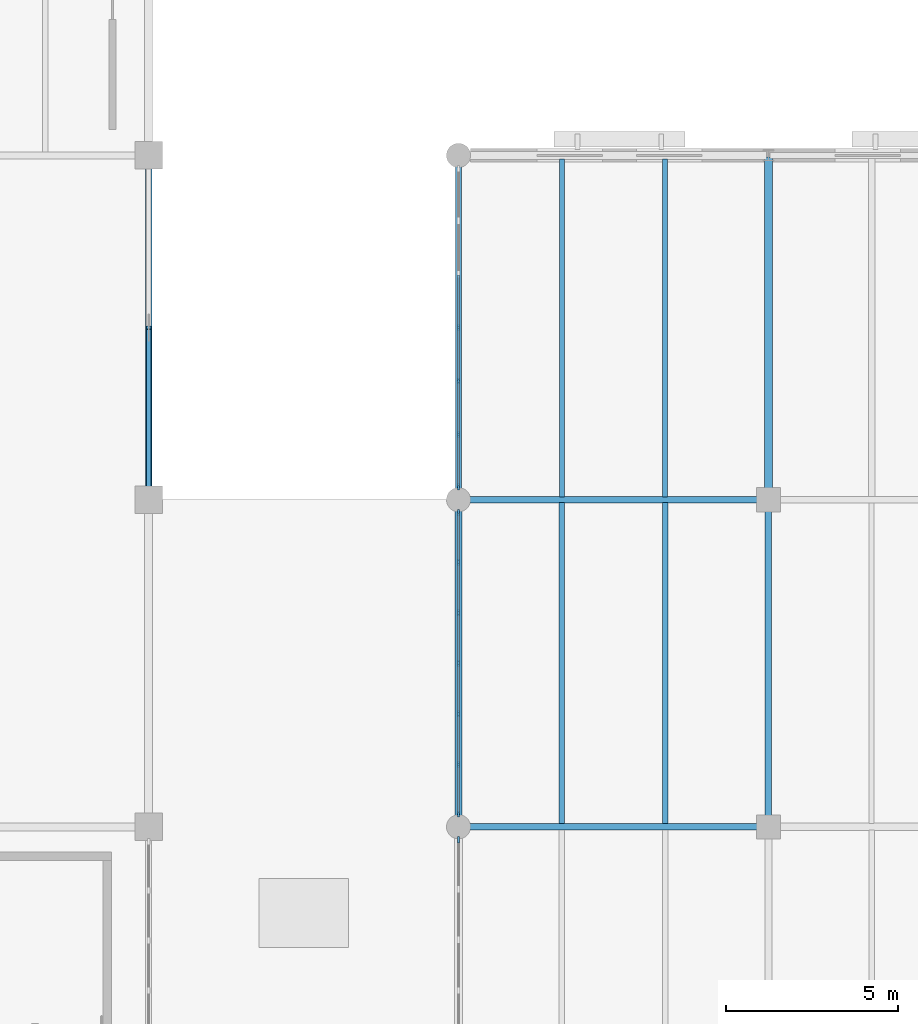
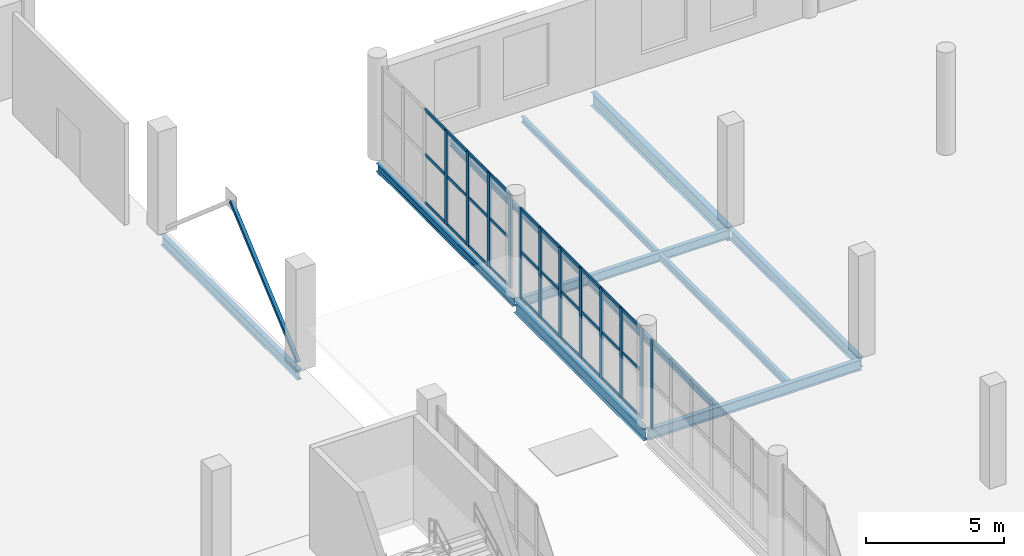
# One storey, part 47 of 93: 43 members, 11 beams, 3 elements without a shape of their own.
"""IFC4 building model written with IfcOpenShell, lengths in metres."""

from ifc_helpers import new_model, si_unit, direction, frame, origin, origin_2d, place, context, subcontext, project, spatial, rectangle, hollow_rectangle, i_section, extrude, material, layer, layer_set, material_profile, profile_set, type_object, element, aggregate, save


model = new_model("IFC4")

# Units and contexts
model_context = context("Model", 3, precision=1e-05, world=origin(), true_north=direction((0.0, 1.0)))
body_context = subcontext(model_context, "Body", "Model", "MODEL_VIEW")
ifc_project = project(units=[si_unit("LENGTHUNIT", "METRE"), si_unit("AREAUNIT", "SQUARE_METRE"), si_unit("VOLUMEUNIT", "CUBIC_METRE"), si_unit("PLANEANGLEUNIT", "RADIAN"), si_unit("MASSUNIT", "GRAM", prefix="KILO")], contexts=[model_context])

# Site, building, storey
site_placement = place(None, origin())
site = spatial("IfcSite", under=ifc_project, at=site_placement, CompositionType="ELEMENT")
building_placement = place(site_placement, origin())
building = spatial("IfcBuilding", under=site, at=building_placement, Name="Marnock Terrace Opera House", CompositionType="ELEMENT")
storey_placement = place(building_placement, frame((0.0, 0.0, 5.39990234375)))
storey = spatial("IfcBuildingStorey", under=building, at=storey_placement, Name="L01", CompositionType="ELEMENT", Elevation=5.39990234375)

# Beams
ifc_material_1 = material(Name="Steel Grade 350 (AS/NZS 3679.1)", Category="steel")
ifc_material_profile_1 = material_profile(ifc_material_1, i_section(OverallWidth=0.1708984375, OverallDepth=0.355712890625, WebThickness=0.00732421875, FlangeThickness=0.011474609375, FilletRadius=0.011474609375, at=origin_2d()))
ifc_profile_set_1 = profile_set([ifc_material_profile_1], Name="Steel Grade 350 (AS/NZS 3679.1)")
beam_type_1 = type_object("IfcBeamType", Name="BM-GIRD-360", PredefinedType="BEAM", material=ifc_profile_set_1)
beam_1_placement = place(storey_placement, frame((118.0, 94.050048828125, -0.457763671875), z_axis=(0.0, 1.0, 0.0), x_axis=(-1.0, 0.0, 0.0)))
element("IfcBeam", 1, at=beam_1_placement, inside=storey, type_object=beam_type_1, Name="L01 girder (X=118.0, 94.0..104.0)", PredefinedType="BEAM", context=body_context, shape_type="SweptSolid", body=[
    extrude(i_section(OverallWidth=0.1708984375, OverallDepth=0.355712890625, WebThickness=0.00732421875, FlangeThickness=0.011474609375, FilletRadius=0.011474609375, at=origin_2d()), origin(), (0.0, 0.0, 1.0), 9.89990234375),
])
ifc_material_profile_2 = material_profile(ifc_material_1, i_section(OverallWidth=0.177978515625, OverallDepth=0.402587890625, WebThickness=0.007568359375, FlangeThickness=0.010986328125, FilletRadius=0.011474609375, at=origin_2d()))
ifc_profile_set_2 = profile_set([ifc_material_profile_2], Name="Steel Grade 350 (AS/NZS 3679.1)")
beam_type_2 = type_object("IfcBeamType", Name="BM-GIRD-410", PredefinedType="BEAM", material=ifc_profile_set_2)
beam_2_placement = place(storey_placement, frame((118.050048828125, 94.0, -0.481201171875), z_axis=(1.0, 0.0, 0.0), x_axis=(0.0, 1.0, 0.0)))
element("IfcBeam", 2, at=beam_2_placement, inside=storey, type_object=beam_type_2, Name="L01 girder (118.0..127.0, Y=94.0)", PredefinedType="BEAM", context=body_context, shape_type="SweptSolid", body=[
    extrude(i_section(OverallWidth=0.177978515625, OverallDepth=0.402587890625, WebThickness=0.007568359375, FlangeThickness=0.010986328125, FilletRadius=0.011474609375, at=origin_2d()), origin(), (0.0, 0.0, 1.0), 8.89990234375),
])
ifc_material_profile_3 = material_profile(ifc_material_1, i_section(OverallWidth=0.19091796875, OverallDepth=0.46044921875, WebThickness=0.010009765625, FlangeThickness=0.01611328125, FilletRadius=0.011474609375, at=origin_2d()))
ifc_profile_set_3 = profile_set([ifc_material_profile_3], Name="Steel Grade 350 (AS/NZS 3679.1)")
beam_type_3 = type_object("IfcBeamType", Name="BM-GIRD-460A", PredefinedType="BEAM", material=ifc_profile_set_3)
beam_3_placement = place(storey_placement, frame((118.050048828125, 84.5, -0.510009765625), z_axis=(1.0, 0.0, 0.0), x_axis=(0.0, 1.0, 0.0)))
element("IfcBeam", 3, at=beam_3_placement, inside=storey, type_object=beam_type_3, Name="L01 girder (118.0..127.0, Y=84.5)", PredefinedType="BEAM", context=body_context, shape_type="SweptSolid", body=[
    extrude(i_section(OverallWidth=0.19091796875, OverallDepth=0.46044921875, WebThickness=0.010009765625, FlangeThickness=0.01611328125, FilletRadius=0.011474609375, at=origin_2d()), origin(), (0.0, 0.0, 1.0), 8.89990234375),
])
ifc_material_profile_4 = material_profile(ifc_material_1, i_section(OverallWidth=0.18994140625, OverallDepth=0.45751953125, WebThickness=0.009033203125, FlangeThickness=0.014404296875, FilletRadius=0.011474609375, at=origin_2d()))
ifc_profile_set_4 = profile_set([ifc_material_profile_4], Name="Steel Grade 350 (AS/NZS 3679.1)")
beam_type_4 = type_object("IfcBeamType", Name="BM-GIRD-460B", PredefinedType="BEAM", material=ifc_profile_set_4)
beam_4_placement = place(storey_placement, frame((109.0, 94.050048828125, -0.508544921875), z_axis=(0.0, 1.0, 0.0), x_axis=(-1.0, 0.0, 0.0)))
element("IfcBeam", 4, at=beam_4_placement, inside=storey, type_object=beam_type_4, Name="L01 girder (X=109.0, 94.0..104.0)", PredefinedType="BEAM", context=body_context, shape_type="SweptSolid", body=[
    extrude(i_section(OverallWidth=0.18994140625, OverallDepth=0.45751953125, WebThickness=0.009033203125, FlangeThickness=0.014404296875, FilletRadius=0.011474609375, at=origin_2d()), origin(), (0.0, 0.0, 1.0), 9.89990234375),
])
beam_5_placement = place(storey_placement, frame((127.0, 84.550048828125, -0.508544921875), z_axis=(0.0, 1.0, 0.0), x_axis=(-1.0, 0.0, 0.0)))
element("IfcBeam", 5, at=beam_5_placement, inside=storey, type_object=beam_type_4, Name="L01 girder (X=127.0, 84.5..94.0)", PredefinedType="BEAM", context=body_context, shape_type="SweptSolid", body=[
    extrude(i_section(OverallWidth=0.18994140625, OverallDepth=0.45751953125, WebThickness=0.009033203125, FlangeThickness=0.014404296875, FilletRadius=0.011474609375, at=origin_2d()), origin(), (0.0, 0.0, 1.0), 9.39990234375),
])
ifc_material_profile_5 = material_profile(ifc_material_1, i_section(OverallWidth=0.208984375, OverallDepth=0.528076171875, WebThickness=0.009521484375, FlangeThickness=0.01318359375, FilletRadius=0.013916015625, at=origin_2d()))
ifc_profile_set_5 = profile_set([ifc_material_profile_5], Name="Steel Grade 350 (AS/NZS 3679.1)")
beam_type_5 = type_object("IfcBeamType", Name="BM-GIRD-530B", PredefinedType="BEAM", material=ifc_profile_set_5)
beam_6_placement = place(storey_placement, frame((118.0, 84.550048828125, -0.5439453125), z_axis=(0.0, 1.0, 0.0), x_axis=(-1.0, 0.0, 0.0)))
element("IfcBeam", 6, at=beam_6_placement, inside=storey, type_object=beam_type_5, Name="L01 girder (X=118.0, 84.5..94.0)", PredefinedType="BEAM", context=body_context, shape_type="SweptSolid", body=[
    extrude(i_section(OverallWidth=0.208984375, OverallDepth=0.528076171875, WebThickness=0.009521484375, FlangeThickness=0.01318359375, FilletRadius=0.013916015625, at=origin_2d()), origin(), (0.0, 0.0, 1.0), 9.39990234375),
])
ifc_material_profile_6 = material_profile(ifc_material_1, i_section(OverallWidth=0.22802734375, OverallDepth=0.60205078125, WebThickness=0.010498046875, FlangeThickness=0.014892578125, FilletRadius=0.013916015625, at=origin_2d()))
ifc_profile_set_6 = profile_set([ifc_material_profile_6], Name="Steel Grade 350 (AS/NZS 3679.1)")
beam_type_6 = type_object("IfcBeamType", Name="BM-GIRD-610C", PredefinedType="BEAM", material=ifc_profile_set_6)
beam_7_placement = place(storey_placement, frame((127.0, 94.050048828125, -0.580810546875), z_axis=(0.0, 1.0, 0.0), x_axis=(-1.0, 0.0, 0.0)))
element("IfcBeam", 7, at=beam_7_placement, inside=storey, type_object=beam_type_6, Name="L01 girder (X=127.0, 94.0..104.0)", PredefinedType="BEAM", context=body_context, shape_type="SweptSolid", body=[
    extrude(i_section(OverallWidth=0.22802734375, OverallDepth=0.60205078125, WebThickness=0.010498046875, FlangeThickness=0.014892578125, FilletRadius=0.013916015625, at=origin_2d()), origin(), (0.0, 0.0, 1.0), 9.89990234375),
])
ifc_material_profile_7 = material_profile(ifc_material_1, i_section(OverallWidth=0.14599609375, OverallDepth=0.256103515625, WebThickness=0.00634765625, FlangeThickness=0.010986328125, FilletRadius=0.0087890625, at=origin_2d()))
ifc_profile_set_7 = profile_set([ifc_material_profile_7], Name="Steel Grade 350 (AS/NZS 3679.1)")
beam_type_7 = type_object("IfcBeamType", Name="BM-JOIST-250", PredefinedType="JOIST", material=ifc_profile_set_7)
for number, where, z_axis, x_axis, name in (
    (8, (121.0, 94.083984375, -0.407958984375), (0.0, 1.0, 0.0), (-1.0, 0.0, 0.0), "L01 secondary joist 13.11.1"),
    (9, (124.0, 94.083984375, -0.407958984375), (0.0, 1.0, 0.0), (-1.0, 0.0, 0.0), "L01 secondary joist 13.11.2"),
):
    element("IfcBeam", number, at=place(storey_placement, frame(where, z_axis=z_axis, x_axis=x_axis)), inside=storey, type_object=beam_type_7, Name=name, PredefinedType="JOIST", context=body_context, shape_type="SweptSolid", body=[
        extrude(i_section(OverallWidth=0.14599609375, OverallDepth=0.256103515625, WebThickness=0.00634765625, FlangeThickness=0.010986328125, FilletRadius=0.0087890625, at=origin_2d()), origin(), (0.0, 0.0, 1.0), 9.806396484375),
    ])
ifc_material_profile_8 = material_profile(ifc_material_1, i_section(OverallWidth=0.1650390625, OverallDepth=0.3037109375, WebThickness=0.006103515625, FlangeThickness=0.01025390625, FilletRadius=0.011474609375, at=origin_2d()))
ifc_profile_set_8 = profile_set([ifc_material_profile_8], Name="Steel Grade 350 (AS/NZS 3679.1)")
beam_type_8 = type_object("IfcBeamType", Name="BM-JOIST-310B", PredefinedType="JOIST", material=ifc_profile_set_8)
for number, where, z_axis, x_axis, name in (
    (10, (121.0, 84.590576171875, -0.431884765625), (0.0, 1.0, 0.0), (-1.0, 0.0, 0.0), "L01 secondary joist 13.10.1"),
    (11, (124.0, 84.590576171875, -0.431884765625), (0.0, 1.0, 0.0), (-1.0, 0.0, 0.0), "L01 secondary joist 13.10.2"),
):
    element("IfcBeam", number, at=place(storey_placement, frame(where, z_axis=z_axis, x_axis=x_axis)), inside=storey, type_object=beam_type_8, Name=name, PredefinedType="JOIST", context=body_context, shape_type="SweptSolid", body=[
        extrude(i_section(OverallWidth=0.1650390625, OverallDepth=0.3037109375, WebThickness=0.006103515625, FlangeThickness=0.01025390625, FilletRadius=0.011474609375, at=origin_2d()), origin(), (0.0, 0.0, 1.0), 9.325439453125),
    ])

# Curtain wall, member
ifc_material_2 = material(Name="Anodised architectural bronze aluminium framing", Category="aluminium")
ifc_layer = layer(ifc_material_2, 0.159912109375)
ifc_layer_set = layer_set([ifc_layer], Name="Anodised architectural bronze aluminium framing")
curtain_wall_type = type_object("IfcCurtainWallType", Name="CW-FOYER-95x45", PredefinedType="NOTDEFINED", material=ifc_layer_set)
curtain_wall_1_placement = place(storey_placement, origin())
curtain_wall_1 = element("IfcCurtainWall", 12, at=curtain_wall_1_placement, inside=storey, type_object=curtain_wall_type, Name="L01 glazed Beaux-Arts colonnade curtain wall CW-V5-L01-W6", PredefinedType="NOTDEFINED")
ifc_material_profile_9 = material_profile(ifc_material_2, rectangle(XDim=0.06494140625, YDim=0.179931640625, at=origin_2d()))
ifc_profile_set_9 = profile_set([ifc_material_profile_9], Name="Anodised architectural bronze aluminium framing")
member_type_1 = type_object("IfcMemberType", Name="CWM-65x180", PredefinedType="MULLION", material=ifc_profile_set_9)
member_1_placement = place(storey_placement, frame((118.0, 84.1240234375, 0.0), z_axis=(0.0, 0.0, 1.0), x_axis=(-1.0, 0.0, 0.0)))
member_1 = element("IfcMember", 13, at=member_1_placement, type_object=member_type_1, Name="CW-53 mullion 7", PredefinedType="MULLION", context=body_context, shape_type="SweptSolid", body=[
    extrude(rectangle(XDim=0.06494140625, YDim=0.179931640625, at=origin_2d()), origin(), (0.0, 0.0, 1.0), 3.908203125),
])
aggregate(curtain_wall_1, [member_1])

# Curtain wall, members
curtain_wall_2_placement = place(storey_placement, origin())
curtain_wall_2 = element("IfcCurtainWall", 14, at=curtain_wall_2_placement, inside=storey, type_object=curtain_wall_type, Name="L01 glazed Beaux-Arts colonnade curtain wall CW-V5-L01-W7", PredefinedType="NOTDEFINED")
member_2_placement = place(storey_placement, frame((118.0, 84.8759765625, 0.0), z_axis=(0.0, 0.0, 1.0), x_axis=(-1.0, 0.0, 0.0)))
member_2 = element("IfcMember", 15, at=member_2_placement, type_object=member_type_1, Name="CW-53 mullion 1", PredefinedType="MULLION", context=body_context, shape_type="SweptSolid", body=[
    extrude(rectangle(XDim=0.06494140625, YDim=0.179931640625, at=origin_2d()), origin(), (0.0, 0.0, 1.0), 3.982177734375),
])
member_3_placement = place(storey_placement, frame((118.0, 86.31396484375, 0.0), z_axis=(0.0, 0.0, 1.0), x_axis=(-1.0, 0.0, 0.0)))
member_3 = element("IfcMember", 16, at=member_3_placement, type_object=member_type_1, Name="CW-53 mullion 2", PredefinedType="MULLION", context=body_context, shape_type="SweptSolid", body=[
    extrude(rectangle(XDim=0.06494140625, YDim=0.179931640625, at=origin_2d()), origin(), (0.0, 0.0, 1.0), 3.982177734375),
])
member_4_placement = place(storey_placement, frame((118.0, 87.781982421875, 0.0), z_axis=(0.0, 0.0, 1.0), x_axis=(-1.0, 0.0, 0.0)))
member_4 = element("IfcMember", 17, at=member_4_placement, type_object=member_type_1, Name="CW-53 mullion 3", PredefinedType="MULLION", context=body_context, shape_type="SweptSolid", body=[
    extrude(rectangle(XDim=0.06494140625, YDim=0.179931640625, at=origin_2d()), origin(), (0.0, 0.0, 1.0), 3.982177734375),
])
member_5_placement = place(storey_placement, frame((118.0, 89.25, 0.0), z_axis=(0.0, 0.0, 1.0), x_axis=(-1.0, 0.0, 0.0)))
member_5 = element("IfcMember", 18, at=member_5_placement, type_object=member_type_1, Name="CW-53 mullion 4", PredefinedType="MULLION", context=body_context, shape_type="SweptSolid", body=[
    extrude(rectangle(XDim=0.06494140625, YDim=0.179931640625, at=origin_2d()), origin(), (0.0, 0.0, 1.0), 3.982177734375),
])
member_6_placement = place(storey_placement, frame((118.0, 90.718017578125, 0.0), z_axis=(0.0, 0.0, 1.0), x_axis=(-1.0, 0.0, 0.0)))
member_6 = element("IfcMember", 19, at=member_6_placement, type_object=member_type_1, Name="CW-53 mullion 5", PredefinedType="MULLION", context=body_context, shape_type="SweptSolid", body=[
    extrude(rectangle(XDim=0.06494140625, YDim=0.179931640625, at=origin_2d()), origin(), (0.0, 0.0, 1.0), 3.982177734375),
])
member_7_placement = place(storey_placement, frame((118.0, 92.18603515625, 0.0), z_axis=(0.0, 0.0, 1.0), x_axis=(-1.0, 0.0, 0.0)))
member_7 = element("IfcMember", 20, at=member_7_placement, type_object=member_type_1, Name="CW-53 mullion 6", PredefinedType="MULLION", context=body_context, shape_type="SweptSolid", body=[
    extrude(rectangle(XDim=0.06494140625, YDim=0.179931640625, at=origin_2d()), origin(), (0.0, 0.0, 1.0), 3.982177734375),
])
member_8_placement = place(storey_placement, frame((118.0, 93.6240234375, 0.0), z_axis=(0.0, 0.0, 1.0), x_axis=(-1.0, 0.0, 0.0)))
member_8 = element("IfcMember", 21, at=member_8_placement, type_object=member_type_1, Name="CW-53 mullion 7", PredefinedType="MULLION", context=body_context, shape_type="SweptSolid", body=[
    extrude(rectangle(XDim=0.06494140625, YDim=0.179931640625, at=origin_2d()), origin(), (0.0, 0.0, 1.0), 3.982177734375),
])

curtain_wall_3_placement = place(storey_placement, origin())
curtain_wall_3 = element("IfcCurtainWall", 22, at=curtain_wall_3_placement, inside=storey, type_object=curtain_wall_type, Name="L01 glazed Beaux-Arts colonnade curtain wall CW-V5-L01-W8", PredefinedType="NOTDEFINED")
member_9_placement = place(storey_placement, frame((118.0, 94.3759765625, 0.0), z_axis=(0.0, 0.0, 1.0), x_axis=(-1.0, 0.0, 0.0)))
member_9 = element("IfcMember", 23, at=member_9_placement, type_object=member_type_1, Name="CW-53 mullion 1", PredefinedType="MULLION", context=body_context, shape_type="SweptSolid", body=[
    extrude(rectangle(XDim=0.06494140625, YDim=0.179931640625, at=origin_2d()), origin(), (0.0, 0.0, 1.0), 4.154541015625),
])
member_10_placement = place(storey_placement, frame((118.0, 95.897216796875, 0.0), z_axis=(0.0, 0.0, 1.0), x_axis=(-1.0, 0.0, 0.0)))
member_10 = element("IfcMember", 24, at=member_10_placement, type_object=member_type_1, Name="CW-53 mullion 2", PredefinedType="MULLION", context=body_context, shape_type="SweptSolid", body=[
    extrude(rectangle(XDim=0.06494140625, YDim=0.179931640625, at=origin_2d()), origin(), (0.0, 0.0, 1.0), 4.154541015625),
])
member_11_placement = place(storey_placement, frame((118.0, 97.44873046875, 0.0), z_axis=(0.0, 0.0, 1.0), x_axis=(-1.0, 0.0, 0.0)))
member_11 = element("IfcMember", 25, at=member_11_placement, type_object=member_type_1, Name="CW-53 mullion 3", PredefinedType="MULLION", context=body_context, shape_type="SweptSolid", body=[
    extrude(rectangle(XDim=0.06494140625, YDim=0.179931640625, at=origin_2d()), origin(), (0.0, 0.0, 1.0), 4.154541015625),
])
member_12_placement = place(storey_placement, frame((118.0, 99.0, 0.0), z_axis=(0.0, 0.0, 1.0), x_axis=(-1.0, 0.0, 0.0)))
member_12 = element("IfcMember", 26, at=member_12_placement, type_object=member_type_1, Name="CW-53 mullion 4", PredefinedType="MULLION", context=body_context, shape_type="SweptSolid", body=[
    extrude(rectangle(XDim=0.06494140625, YDim=0.179931640625, at=origin_2d()), origin(), (0.0, 0.0, 1.0), 4.154541015625),
])

# Member
ifc_material_profile_10 = material_profile(ifc_material_2, rectangle(XDim=0.06005859375, YDim=0.1298828125, at=origin_2d()))
ifc_profile_set_10 = profile_set([ifc_material_profile_10], Name="Anodised architectural bronze aluminium framing")
member_type_2 = type_object("IfcMemberType", Name="CWT-60x130", PredefinedType="USERDEFINED", material=ifc_profile_set_10)
member_13_placement = place(storey_placement, frame((118.0, 84.906005859375, 0.030029296875), z_axis=(0.0, 1.0, 0.0), x_axis=(-1.0, 0.0, 0.0)))
member_13 = element("IfcMember", 27, at=member_13_placement, type_object=member_type_2, Name="CW-53 transom 1.1", ObjectType="TRANSOM", PredefinedType="USERDEFINED", context=body_context, shape_type="SweptSolid", body=[
    extrude(rectangle(XDim=0.06005859375, YDim=0.1298828125, at=origin_2d()), origin(), (0.0, 0.0, 1.0), 1.3779296875),
])

member_14_placement = place(storey_placement, frame((118.0, 84.906005859375, 2.07080078125), z_axis=(0.0, 1.0, 0.0), x_axis=(-1.0, 0.0, 0.0)))
member_14 = element("IfcMember", 28, at=member_14_placement, type_object=member_type_2, Name="CW-53 transom 1.2", ObjectType="TRANSOM", PredefinedType="USERDEFINED", context=body_context, shape_type="SweptSolid", body=[
    extrude(rectangle(XDim=0.06005859375, YDim=0.1298828125, at=origin_2d()), origin(), (0.0, 0.0, 1.0), 1.3779296875),
])

member_15_placement = place(storey_placement, frame((118.0, 84.906005859375, 3.9521484375), z_axis=(0.0, 1.0, 0.0), x_axis=(-1.0, 0.0, 0.0)))
member_15 = element("IfcMember", 29, at=member_15_placement, type_object=member_type_2, Name="CW-53 transom 1.3", ObjectType="TRANSOM", PredefinedType="USERDEFINED", context=body_context, shape_type="SweptSolid", body=[
    extrude(rectangle(XDim=0.06005859375, YDim=0.1298828125, at=origin_2d()), origin(), (0.0, 0.0, 1.0), 1.3779296875),
])

member_16_placement = place(storey_placement, frame((118.0, 86.343994140625, 0.030029296875), z_axis=(0.0, 1.0, 0.0), x_axis=(-1.0, 0.0, 0.0)))
member_16 = element("IfcMember", 30, at=member_16_placement, type_object=member_type_2, Name="CW-53 transom 2.1", ObjectType="TRANSOM", PredefinedType="USERDEFINED", context=body_context, shape_type="SweptSolid", body=[
    extrude(rectangle(XDim=0.06005859375, YDim=0.1298828125, at=origin_2d()), origin(), (0.0, 0.0, 1.0), 1.407958984375),
])

member_17_placement = place(storey_placement, frame((118.0, 86.343994140625, 2.07080078125), z_axis=(0.0, 1.0, 0.0), x_axis=(-1.0, 0.0, 0.0)))
member_17 = element("IfcMember", 31, at=member_17_placement, type_object=member_type_2, Name="CW-53 transom 2.2", ObjectType="TRANSOM", PredefinedType="USERDEFINED", context=body_context, shape_type="SweptSolid", body=[
    extrude(rectangle(XDim=0.06005859375, YDim=0.1298828125, at=origin_2d()), origin(), (0.0, 0.0, 1.0), 1.407958984375),
])

member_18_placement = place(storey_placement, frame((118.0, 86.343994140625, 3.9521484375), z_axis=(0.0, 1.0, 0.0), x_axis=(-1.0, 0.0, 0.0)))
member_18 = element("IfcMember", 32, at=member_18_placement, type_object=member_type_2, Name="CW-53 transom 2.3", ObjectType="TRANSOM", PredefinedType="USERDEFINED", context=body_context, shape_type="SweptSolid", body=[
    extrude(rectangle(XDim=0.06005859375, YDim=0.1298828125, at=origin_2d()), origin(), (0.0, 0.0, 1.0), 1.407958984375),
])

member_19_placement = place(storey_placement, frame((118.0, 87.81201171875, 0.030029296875), z_axis=(0.0, 1.0, 0.0), x_axis=(-1.0, 0.0, 0.0)))
member_19 = element("IfcMember", 33, at=member_19_placement, type_object=member_type_2, Name="CW-53 transom 3.1", ObjectType="TRANSOM", PredefinedType="USERDEFINED", context=body_context, shape_type="SweptSolid", body=[
    extrude(rectangle(XDim=0.06005859375, YDim=0.1298828125, at=origin_2d()), origin(), (0.0, 0.0, 1.0), 1.407958984375),
])

member_20_placement = place(storey_placement, frame((118.0, 87.81201171875, 2.07080078125), z_axis=(0.0, 1.0, 0.0), x_axis=(-1.0, 0.0, 0.0)))
member_20 = element("IfcMember", 34, at=member_20_placement, type_object=member_type_2, Name="CW-53 transom 3.2", ObjectType="TRANSOM", PredefinedType="USERDEFINED", context=body_context, shape_type="SweptSolid", body=[
    extrude(rectangle(XDim=0.06005859375, YDim=0.1298828125, at=origin_2d()), origin(), (0.0, 0.0, 1.0), 1.407958984375),
])

member_21_placement = place(storey_placement, frame((118.0, 87.81201171875, 3.9521484375), z_axis=(0.0, 1.0, 0.0), x_axis=(-1.0, 0.0, 0.0)))
member_21 = element("IfcMember", 35, at=member_21_placement, type_object=member_type_2, Name="CW-53 transom 3.3", ObjectType="TRANSOM", PredefinedType="USERDEFINED", context=body_context, shape_type="SweptSolid", body=[
    extrude(rectangle(XDim=0.06005859375, YDim=0.1298828125, at=origin_2d()), origin(), (0.0, 0.0, 1.0), 1.407958984375),
])

member_22_placement = place(storey_placement, frame((118.0, 89.280029296875, 0.030029296875), z_axis=(0.0, 1.0, 0.0), x_axis=(-1.0, 0.0, 0.0)))
member_22 = element("IfcMember", 36, at=member_22_placement, type_object=member_type_2, Name="CW-53 transom 4.1", ObjectType="TRANSOM", PredefinedType="USERDEFINED", context=body_context, shape_type="SweptSolid", body=[
    extrude(rectangle(XDim=0.06005859375, YDim=0.1298828125, at=origin_2d()), origin(), (0.0, 0.0, 1.0), 1.407958984375),
])

member_23_placement = place(storey_placement, frame((118.0, 89.280029296875, 2.07080078125), z_axis=(0.0, 1.0, 0.0), x_axis=(-1.0, 0.0, 0.0)))
member_23 = element("IfcMember", 37, at=member_23_placement, type_object=member_type_2, Name="CW-53 transom 4.2", ObjectType="TRANSOM", PredefinedType="USERDEFINED", context=body_context, shape_type="SweptSolid", body=[
    extrude(rectangle(XDim=0.06005859375, YDim=0.1298828125, at=origin_2d()), origin(), (0.0, 0.0, 1.0), 1.407958984375),
])

member_24_placement = place(storey_placement, frame((118.0, 89.280029296875, 3.9521484375), z_axis=(0.0, 1.0, 0.0), x_axis=(-1.0, 0.0, 0.0)))
member_24 = element("IfcMember", 38, at=member_24_placement, type_object=member_type_2, Name="CW-53 transom 4.3", ObjectType="TRANSOM", PredefinedType="USERDEFINED", context=body_context, shape_type="SweptSolid", body=[
    extrude(rectangle(XDim=0.06005859375, YDim=0.1298828125, at=origin_2d()), origin(), (0.0, 0.0, 1.0), 1.407958984375),
])

member_25_placement = place(storey_placement, frame((118.0, 90.748046875, 0.030029296875), z_axis=(0.0, 1.0, 0.0), x_axis=(-1.0, 0.0, 0.0)))
member_25 = element("IfcMember", 39, at=member_25_placement, type_object=member_type_2, Name="CW-53 transom 5.1", ObjectType="TRANSOM", PredefinedType="USERDEFINED", context=body_context, shape_type="SweptSolid", body=[
    extrude(rectangle(XDim=0.06005859375, YDim=0.1298828125, at=origin_2d()), origin(), (0.0, 0.0, 1.0), 1.407958984375),
])

member_26_placement = place(storey_placement, frame((118.0, 90.748046875, 2.07080078125), z_axis=(0.0, 1.0, 0.0), x_axis=(-1.0, 0.0, 0.0)))
member_26 = element("IfcMember", 40, at=member_26_placement, type_object=member_type_2, Name="CW-53 transom 5.2", ObjectType="TRANSOM", PredefinedType="USERDEFINED", context=body_context, shape_type="SweptSolid", body=[
    extrude(rectangle(XDim=0.06005859375, YDim=0.1298828125, at=origin_2d()), origin(), (0.0, 0.0, 1.0), 1.407958984375),
])

member_27_placement = place(storey_placement, frame((118.0, 90.748046875, 3.9521484375), z_axis=(0.0, 1.0, 0.0), x_axis=(-1.0, 0.0, 0.0)))
member_27 = element("IfcMember", 41, at=member_27_placement, type_object=member_type_2, Name="CW-53 transom 5.3", ObjectType="TRANSOM", PredefinedType="USERDEFINED", context=body_context, shape_type="SweptSolid", body=[
    extrude(rectangle(XDim=0.06005859375, YDim=0.1298828125, at=origin_2d()), origin(), (0.0, 0.0, 1.0), 1.407958984375),
])

member_28_placement = place(storey_placement, frame((118.0, 92.216064453125, 0.030029296875), z_axis=(0.0, 1.0, 0.0), x_axis=(-1.0, 0.0, 0.0)))
member_28 = element("IfcMember", 42, at=member_28_placement, type_object=member_type_2, Name="CW-53 transom 6.1", ObjectType="TRANSOM", PredefinedType="USERDEFINED", context=body_context, shape_type="SweptSolid", body=[
    extrude(rectangle(XDim=0.06005859375, YDim=0.1298828125, at=origin_2d()), origin(), (0.0, 0.0, 1.0), 1.3779296875),
])

member_29_placement = place(storey_placement, frame((118.0, 92.216064453125, 2.07080078125), z_axis=(0.0, 1.0, 0.0), x_axis=(-1.0, 0.0, 0.0)))
member_29 = element("IfcMember", 43, at=member_29_placement, type_object=member_type_2, Name="CW-53 transom 6.2", ObjectType="TRANSOM", PredefinedType="USERDEFINED", context=body_context, shape_type="SweptSolid", body=[
    extrude(rectangle(XDim=0.06005859375, YDim=0.1298828125, at=origin_2d()), origin(), (0.0, 0.0, 1.0), 1.3779296875),
])

member_30_placement = place(storey_placement, frame((118.0, 92.216064453125, 3.9521484375), z_axis=(0.0, 1.0, 0.0), x_axis=(-1.0, 0.0, 0.0)))
member_30 = element("IfcMember", 44, at=member_30_placement, type_object=member_type_2, Name="CW-53 transom 6.3", ObjectType="TRANSOM", PredefinedType="USERDEFINED", context=body_context, shape_type="SweptSolid", body=[
    extrude(rectangle(XDim=0.06005859375, YDim=0.1298828125, at=origin_2d()), origin(), (0.0, 0.0, 1.0), 1.3779296875),
])

aggregate(curtain_wall_2, [member_2, member_3, member_4, member_5, member_6, member_7, member_8, member_13, member_14, member_15, member_16, member_17, member_18, member_19, member_20, member_21, member_22, member_23, member_24, member_25, member_26, member_27, member_28, member_29, member_30])

member_31_placement = place(storey_placement, frame((118.0, 94.406005859375, 0.030029296875), z_axis=(0.0, 1.0, 0.0), x_axis=(-1.0, 0.0, 0.0)))
member_31 = element("IfcMember", 45, at=member_31_placement, type_object=member_type_2, Name="CW-53 transom 1.1", ObjectType="TRANSOM", PredefinedType="USERDEFINED", context=body_context, shape_type="SweptSolid", body=[
    extrude(rectangle(XDim=0.06005859375, YDim=0.1298828125, at=origin_2d()), origin(), (0.0, 0.0, 1.0), 1.46142578125),
])

member_32_placement = place(storey_placement, frame((118.0, 94.406005859375, 2.160400390625), z_axis=(0.0, 1.0, 0.0), x_axis=(-1.0, 0.0, 0.0)))
member_32 = element("IfcMember", 46, at=member_32_placement, type_object=member_type_2, Name="CW-53 transom 1.2", ObjectType="TRANSOM", PredefinedType="USERDEFINED", context=body_context, shape_type="SweptSolid", body=[
    extrude(rectangle(XDim=0.06005859375, YDim=0.1298828125, at=origin_2d()), origin(), (0.0, 0.0, 1.0), 1.46142578125),
])

member_33_placement = place(storey_placement, frame((118.0, 94.406005859375, 4.12451171875), z_axis=(0.0, 1.0, 0.0), x_axis=(-1.0, 0.0, 0.0)))
member_33 = element("IfcMember", 47, at=member_33_placement, type_object=member_type_2, Name="CW-53 transom 1.3", ObjectType="TRANSOM", PredefinedType="USERDEFINED", context=body_context, shape_type="SweptSolid", body=[
    extrude(rectangle(XDim=0.06005859375, YDim=0.1298828125, at=origin_2d()), origin(), (0.0, 0.0, 1.0), 1.46142578125),
])

member_34_placement = place(storey_placement, frame((118.0, 95.92724609375, 0.030029296875), z_axis=(0.0, 1.0, 0.0), x_axis=(-1.0, 0.0, 0.0)))
member_34 = element("IfcMember", 48, at=member_34_placement, type_object=member_type_2, Name="CW-53 transom 2.1", ObjectType="TRANSOM", PredefinedType="USERDEFINED", context=body_context, shape_type="SweptSolid", body=[
    extrude(rectangle(XDim=0.06005859375, YDim=0.1298828125, at=origin_2d()), origin(), (0.0, 0.0, 1.0), 1.491455078125),
])

member_35_placement = place(storey_placement, frame((118.0, 95.92724609375, 2.160400390625), z_axis=(0.0, 1.0, 0.0), x_axis=(-1.0, 0.0, 0.0)))
member_35 = element("IfcMember", 49, at=member_35_placement, type_object=member_type_2, Name="CW-53 transom 2.2", ObjectType="TRANSOM", PredefinedType="USERDEFINED", context=body_context, shape_type="SweptSolid", body=[
    extrude(rectangle(XDim=0.06005859375, YDim=0.1298828125, at=origin_2d()), origin(), (0.0, 0.0, 1.0), 1.491455078125),
])

member_36_placement = place(storey_placement, frame((118.0, 95.92724609375, 4.12451171875), z_axis=(0.0, 1.0, 0.0), x_axis=(-1.0, 0.0, 0.0)))
member_36 = element("IfcMember", 50, at=member_36_placement, type_object=member_type_2, Name="CW-53 transom 2.3", ObjectType="TRANSOM", PredefinedType="USERDEFINED", context=body_context, shape_type="SweptSolid", body=[
    extrude(rectangle(XDim=0.06005859375, YDim=0.1298828125, at=origin_2d()), origin(), (0.0, 0.0, 1.0), 1.491455078125),
])

member_37_placement = place(storey_placement, frame((118.0, 97.478759765625, 0.030029296875), z_axis=(0.0, 1.0, 0.0), x_axis=(-1.0, 0.0, 0.0)))
member_37 = element("IfcMember", 51, at=member_37_placement, type_object=member_type_2, Name="CW-53 transom 3.1", ObjectType="TRANSOM", PredefinedType="USERDEFINED", context=body_context, shape_type="SweptSolid", body=[
    extrude(rectangle(XDim=0.06005859375, YDim=0.1298828125, at=origin_2d()), origin(), (0.0, 0.0, 1.0), 1.4912109375),
])

member_38_placement = place(storey_placement, frame((118.0, 97.478759765625, 2.160400390625), z_axis=(0.0, 1.0, 0.0), x_axis=(-1.0, 0.0, 0.0)))
member_38 = element("IfcMember", 52, at=member_38_placement, type_object=member_type_2, Name="CW-53 transom 3.2", ObjectType="TRANSOM", PredefinedType="USERDEFINED", context=body_context, shape_type="SweptSolid", body=[
    extrude(rectangle(XDim=0.06005859375, YDim=0.1298828125, at=origin_2d()), origin(), (0.0, 0.0, 1.0), 1.4912109375),
])

member_39_placement = place(storey_placement, frame((118.0, 97.478759765625, 4.12451171875), z_axis=(0.0, 1.0, 0.0), x_axis=(-1.0, 0.0, 0.0)))
member_39 = element("IfcMember", 53, at=member_39_placement, type_object=member_type_2, Name="CW-53 transom 3.3", ObjectType="TRANSOM", PredefinedType="USERDEFINED", context=body_context, shape_type="SweptSolid", body=[
    extrude(rectangle(XDim=0.06005859375, YDim=0.1298828125, at=origin_2d()), origin(), (0.0, 0.0, 1.0), 1.4912109375),
])

member_40_placement = place(storey_placement, frame((118.0, 99.030029296875, 0.030029296875), z_axis=(0.0, 1.0, 0.0), x_axis=(-1.0, 0.0, 0.0)))
member_40 = element("IfcMember", 54, at=member_40_placement, type_object=member_type_2, Name="CW-53 transom 4.1", ObjectType="TRANSOM", PredefinedType="USERDEFINED", context=body_context, shape_type="SweptSolid", body=[
    extrude(rectangle(XDim=0.06005859375, YDim=0.1298828125, at=origin_2d()), origin(), (0.0, 0.0, 1.0), 1.4912109375),
])

member_41_placement = place(storey_placement, frame((118.0, 99.030029296875, 2.160400390625), z_axis=(0.0, 1.0, 0.0), x_axis=(-1.0, 0.0, 0.0)))
member_41 = element("IfcMember", 55, at=member_41_placement, type_object=member_type_2, Name="CW-53 transom 4.2", ObjectType="TRANSOM", PredefinedType="USERDEFINED", context=body_context, shape_type="SweptSolid", body=[
    extrude(rectangle(XDim=0.06005859375, YDim=0.1298828125, at=origin_2d()), origin(), (0.0, 0.0, 1.0), 1.4912109375),
])

member_42_placement = place(storey_placement, frame((118.0, 99.030029296875, 4.12451171875), z_axis=(0.0, 1.0, 0.0), x_axis=(-1.0, 0.0, 0.0)))
member_42 = element("IfcMember", 56, at=member_42_placement, type_object=member_type_2, Name="CW-53 transom 4.3", ObjectType="TRANSOM", PredefinedType="USERDEFINED", context=body_context, shape_type="SweptSolid", body=[
    extrude(rectangle(XDim=0.06005859375, YDim=0.1298828125, at=origin_2d()), origin(), (0.0, 0.0, 1.0), 1.4912109375),
])

aggregate(curtain_wall_3, [member_9, member_10, member_11, member_12, member_31, member_32, member_33, member_34, member_35, member_36, member_37, member_38, member_39, member_40, member_41, member_42])

ifc_material_3 = material(Name="Cold-formed Steel Grade C350L0 (AS/NZS 1163)", Category="steel")
ifc_material_profile_11 = material_profile(ifc_material_3, hollow_rectangle(XDim=0.14990234375, YDim=0.14990234375, WallThickness=0.006103515625, InnerFilletRadius=0.006103515625, OuterFilletRadius=0.011962890625, at=origin_2d()))
ifc_profile_set_11 = profile_set([ifc_material_profile_11], Name="Cold-formed Steel Grade C350L0 (AS/NZS 1163)")
member_type_3 = type_object("IfcMemberType", Name="MEM-BRACE-SHS", PredefinedType="BRACE", material=ifc_profile_set_11)
member_43_placement = place(storey_placement, frame((109.0, 94.14990234375, 0.0), z_axis=(0.0, 0.757482782879, 0.65285513986), x_axis=(-1.0, 0.0, 0.0)))
element("IfcMember", 57, at=member_43_placement, inside=storey, type_object=member_type_3, Name="L01 chevron brace A", PredefinedType="BRACE", context=body_context, shape_type="SweptSolid", body=[
    extrude(hollow_rectangle(XDim=0.14990234375, YDim=0.14990234375, WallThickness=0.006103515625, InnerFilletRadius=0.006103515625, OuterFilletRadius=0.011962890625, at=origin_2d()), origin(), (0.0, 0.0, 1.0), 6.40283203125),
])

save(model, "model.ifc")
